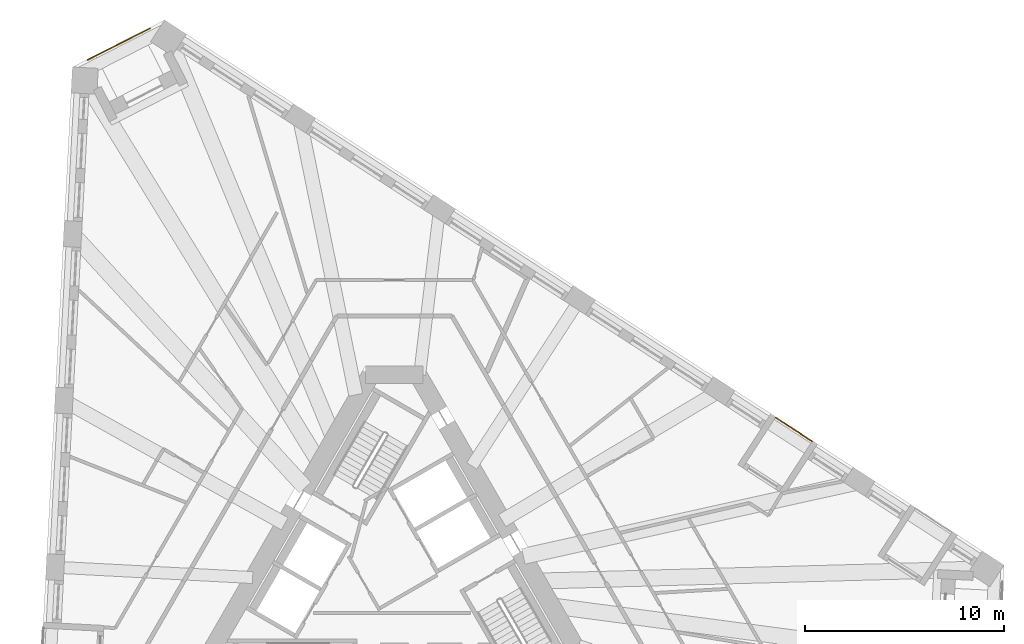
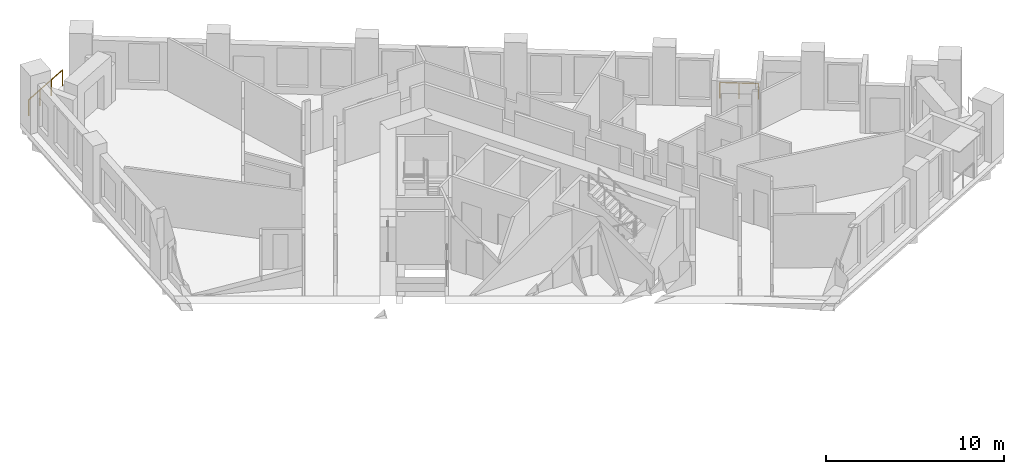
# One storey, part 13 of 13: 2 railings.
"""IFC4 building model written with IfcOpenShell, lengths in metres."""

from ifc_helpers import new_model, si_unit, direction, frame, origin, origin_2d, place, context, subcontext, project, spatial, circle, extrude, material, type_object, element, save


model = new_model("IFC4")

# Units and contexts
model_context = context("Model", 3, precision=1e-05, world=origin(), true_north=direction((0.0, 1.0)))
body_context = subcontext(model_context, "Body", "Model", "MODEL_VIEW")
ifc_project = project(units=[si_unit("LENGTHUNIT", "METRE"), si_unit("AREAUNIT", "SQUARE_METRE"), si_unit("VOLUMEUNIT", "CUBIC_METRE"), si_unit("PLANEANGLEUNIT", "RADIAN"), si_unit("MASSUNIT", "GRAM", prefix="KILO")], contexts=[model_context])

# Site, building, storey
site_placement = place(None, origin())
site = spatial("IfcSite", under=ifc_project, at=site_placement, CompositionType="ELEMENT")
building_placement = place(site_placement, origin())
building = spatial("IfcBuilding", under=site, at=building_placement, Name="Tramontana Tower", CompositionType="ELEMENT")
storey_placement = place(building_placement, frame((0.0, 0.0, 145.60009765625)))
storey = spatial("IfcBuildingStorey", under=building, at=storey_placement, Name="L33", CompositionType="ELEMENT", Elevation=145.60009765625)

# Railings
ifc_material = material(Name="Laminated glass balustrade", Category="glass")
railing_type = type_object("IfcRailingType", Name="GD1 Loggia glass balustrade 1100", PredefinedType="BALUSTRADE", material=ifc_material)
railing_1_placement = place(storey_placement, frame((20.96484375, 7.2158203125, 0.0)))
element("IfcRailing", 1, at=railing_1_placement, inside=storey, type_object=railing_type, Name="Loggia balustrade L33 G3S2.4", PredefinedType="BALUSTRADE", context=body_context, shape_type="SweptSolid", body=[
    extrude(circle(Radius=0.02392578125, at=origin_2d()), frame((0.0, 0.0, 1.076171875), z_axis=(-0.838659986147, 0.544655329209, 0.0), x_axis=(-0.544655329209, -0.838659986147, 0.0)), (0.0, 0.0, 1.0), 2.190673828125),
    extrude(circle(Radius=0.02099609375, at=origin_2d()), origin(), (0.0, 0.0, 1.0), 1.052001953125),
    extrude(circle(Radius=0.02099609375, at=origin_2d()), frame((-0.91845703125, 0.5966796875, 0.0)), (0.0, 0.0, 1.0), 1.052001953125),
    extrude(circle(Radius=0.02099609375, at=origin_2d()), frame((-1.837158203125, 1.193115234375, 0.0)), (0.0, 0.0, 1.0), 1.052001953125),
])
railing_2_placement = place(storey_placement, frame((-15.392333984375, 26.3544921875, 0.0)))
element("IfcRailing", 2, at=railing_2_placement, inside=storey, type_object=railing_type, Name="Corner loggia balustrade L33 K30", PredefinedType="BALUSTRADE", context=body_context, shape_type="SweptSolid", body=[
    extrude(circle(Radius=0.02392578125, at=origin_2d()), frame((0.0, 0.0, 1.076171875), z_axis=(0.891011280655, 0.453981164527, 0.0), x_axis=(-0.453981164527, 0.891011280655, 0.0)), (0.0, 0.0, 1.0), 3.499755859375),
    extrude(circle(Radius=0.02099609375, at=origin_2d()), origin(), (0.0, 0.0, 1.0), 1.052001953125),
    extrude(circle(Radius=0.02099609375, at=origin_2d()), frame((1.03955078125, 0.529541015625, 0.0)), (0.0, 0.0, 1.0), 1.052001953125),
    extrude(circle(Radius=0.02099609375, at=origin_2d()), frame((2.078857421875, 1.059326171875, 0.0)), (0.0, 0.0, 1.0), 1.052001953125),
    extrude(circle(Radius=0.02099609375, at=origin_2d()), frame((3.118408203125, 1.5888671875, 0.0)), (0.0, 0.0, 1.0), 1.052001953125),
])

save(model, "model.ifc")
